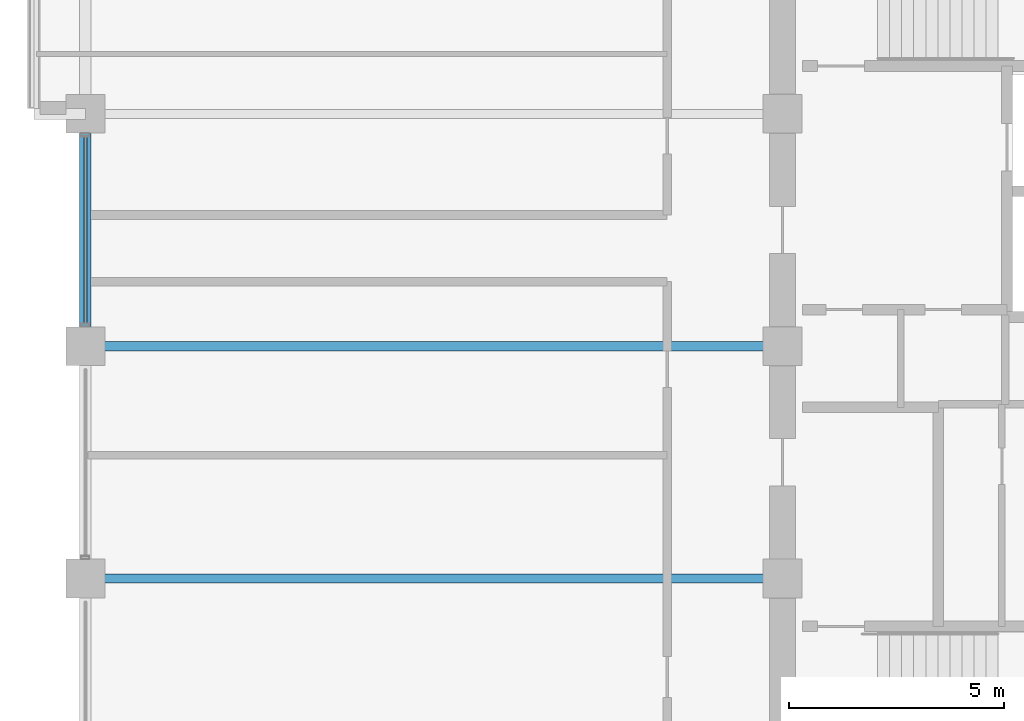
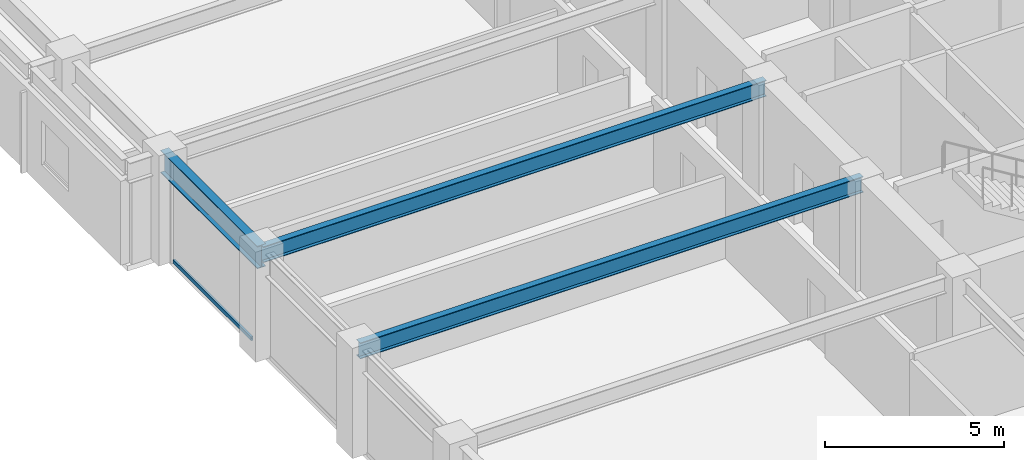
# One storey, part 9 of 32: 3 beams, 1 member, 1 element without a shape of its own.
"""IFC4 building model written with IfcOpenShell, lengths in metres."""

from ifc_helpers import new_model, si_unit, direction, frame, origin, origin_2d, place, context, subcontext, project, spatial, hollow_rectangle, i_section, extrude, material, layer, layer_set, material_profile, profile_set, type_object, element, aggregate, save


model = new_model("IFC4")

# Units and contexts
model_context = context("Model", 3, precision=1e-05, world=origin(), true_north=direction((0.0, 1.0)))
body_context = subcontext(model_context, "Body", "Model", "MODEL_VIEW")
ifc_project = project(units=[si_unit("LENGTHUNIT", "METRE"), si_unit("AREAUNIT", "SQUARE_METRE"), si_unit("VOLUMEUNIT", "CUBIC_METRE"), si_unit("PLANEANGLEUNIT", "RADIAN"), si_unit("MASSUNIT", "GRAM", prefix="KILO")], contexts=[model_context])

# Site, building, storey
site_placement = place(None, origin())
site = spatial("IfcSite", under=ifc_project, at=site_placement, CompositionType="ELEMENT")
building_placement = place(site_placement, origin())
building = spatial("IfcBuilding", under=site, at=building_placement, Name="Surkhivell Harbour Commons", CompositionType="ELEMENT")
storey_placement = place(building_placement, frame((0.0, 0.0, 186.0)))
storey = spatial("IfcBuildingStorey", under=building, at=storey_placement, Name="L48", CompositionType="ELEMENT", Elevation=186.0)

# Beams
ifc_material_1 = material(Name="Steel S355", Category="steel")
ifc_material_profile_1 = material_profile(ifc_material_1, i_section(OverallWidth=0.2119140625, OverallDepth=0.5439453125, WebThickness=0.0126953125, FlangeThickness=0.021240234375, at=origin_2d()), Name="UB533x210x122")
ifc_profile_set_1 = profile_set([ifc_material_profile_1], Name="Steel S355")
beam_type_1 = type_object("IfcBeamType", Name="BM-GRD-533A", PredefinedType="BEAM", material=ifc_profile_set_1)
for number, where, z_axis, x_axis, name in (
    (1, (-27.0, -5.39990234375, 3.298095703125), (1.0, 0.0, 0.0), (0.0, 1.0, 0.0), "L48 Floor Girder (-27.0,-5.4)"),
    (2, (-27.0, 0.0, 3.298095703125), (1.0, 0.0, 0.0), (0.0, 1.0, 0.0), "L48 Floor Girder (-27.0,0.0)"),
):
    element("IfcBeam", number, at=place(storey_placement, frame(where, z_axis=z_axis, x_axis=x_axis)), inside=storey, type_object=beam_type_1, Name=name, PredefinedType="BEAM", context=body_context, shape_type="SweptSolid", body=[
        extrude(i_section(OverallWidth=0.2119140625, OverallDepth=0.5439453125, WebThickness=0.0126953125, FlangeThickness=0.021240234375, at=origin_2d()), origin(), (0.0, 0.0, 1.0), 16.199951171875),
    ])
ifc_material_profile_2 = material_profile(ifc_material_1, i_section(OverallWidth=0.26806640625, OverallDepth=0.77001953125, WebThickness=0.015625, FlangeThickness=0.025390625, at=origin_2d()), Name="UB762x267x197")
ifc_profile_set_2 = profile_set([ifc_material_profile_2], Name="Steel S355")
beam_type_2 = type_object("IfcBeamType", Name="BM-SPN-762", PredefinedType="SPANDREL", material=ifc_profile_set_2)
beam_placement = place(storey_placement, frame((-27.0, 0.0, 3.18505859375), z_axis=(0.0, 1.0, 0.0), x_axis=(-1.0, 0.0, 0.0)))
element("IfcBeam", 3, at=beam_placement, inside=storey, type_object=beam_type_2, Name="L48 Tube Spandrel (-27.0,0.0)", PredefinedType="SPANDREL", context=body_context, shape_type="SweptSolid", body=[
    extrude(i_section(OverallWidth=0.26806640625, OverallDepth=0.77001953125, WebThickness=0.015625, FlangeThickness=0.025390625, at=origin_2d()), origin(), (0.0, 0.0, 1.0), 5.39990234375),
])

# Curtain wall, member
ifc_material_2 = material(Name="Anodised pale-metal aluminium and insulated glazing", Category="aluminium")
ifc_layer = layer(ifc_material_2, 0.18994140625)
ifc_layer_set = layer_set([ifc_layer], Name="Anodised pale-metal aluminium and insulated glazing")
curtain_wall_type = type_object("IfcCurtainWallType", Name="CW-SYS-Z3", PredefinedType="NOTDEFINED", material=ifc_layer_set)
curtain_wall_placement = place(storey_placement, origin())
curtain_wall = element("IfcCurtainWall", 4, at=curtain_wall_placement, inside=storey, type_object=curtain_wall_type, Name="L48 Curtain Wall CW-L48-E12R1S1", PredefinedType="NOTDEFINED")
ifc_material_3 = material(Name="Champagne anodised aluminium alloy 6063-T6", Category="aluminium")
ifc_material_profile_3 = material_profile(ifc_material_3, hollow_rectangle(XDim=0.070068359375, YDim=0.1298828125, WallThickness=0.00341796875, at=origin_2d()), Name="ALU-TRAN-70x130")
ifc_profile_set_3 = profile_set([ifc_material_profile_3], Name="Champagne anodised aluminium alloy 6063-T6")
member_type = type_object("IfcMemberType", Name="CWT-130", PredefinedType="USERDEFINED", material=ifc_profile_set_3)
member_placement = place(storey_placement, frame((-27.0, 0.527099609375, 0.06494140625), z_axis=(0.0, 1.0, 0.0), x_axis=(-1.0, 0.0, 0.0)))
member = element("IfcMember", 5, at=member_placement, type_object=member_type, Name="CW-Z3 transom 3.1", ObjectType="TRANSOM", PredefinedType="USERDEFINED", context=body_context, shape_type="SweptSolid", body=[
    extrude(hollow_rectangle(XDim=0.070068359375, YDim=0.1298828125, WallThickness=0.00341796875, at=origin_2d()), origin(), (0.0, 0.0, 1.0), 4.345947265625),
])
aggregate(curtain_wall, [member])

save(model, "model.ifc")
